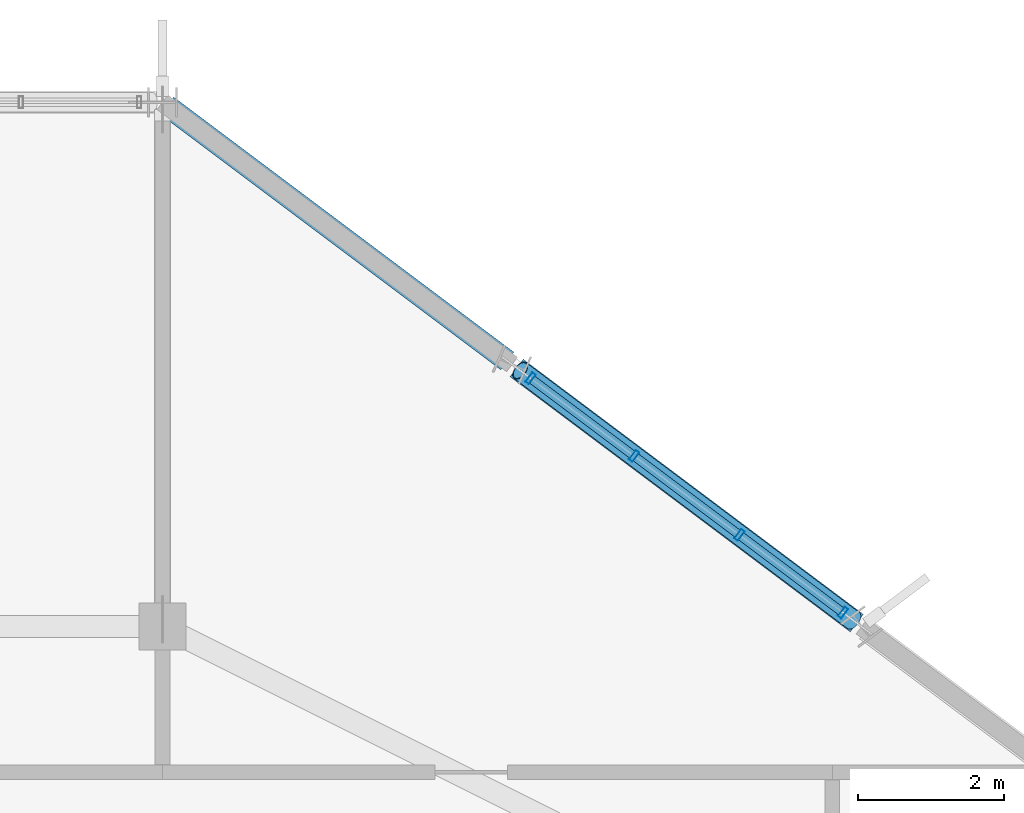
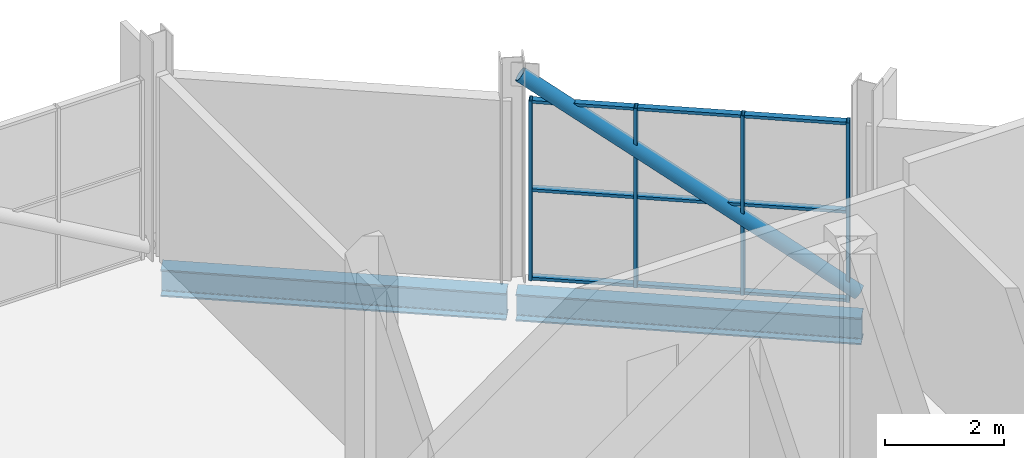
# One storey, part 10 of 22: 14 members, 2 beams, 1 element without a shape of its own.
"""IFC4 building model written with IfcOpenShell, lengths in metres."""

from ifc_helpers import new_model, si_unit, direction, frame, origin, origin_2d, place, context, subcontext, project, spatial, hollow_rectangle, hollow_circle, i_section, extrude, material, layer, layer_set, material_profile, profile_set, type_object, element, aggregate, save


model = new_model("IFC4")

# Units and contexts
model_context = context("Model", 3, precision=1e-05, world=origin(), true_north=direction((0.0, 1.0)))
body_context = subcontext(model_context, "Body", "Model", "MODEL_VIEW")
ifc_project = project(units=[si_unit("LENGTHUNIT", "METRE"), si_unit("AREAUNIT", "SQUARE_METRE"), si_unit("VOLUMEUNIT", "CUBIC_METRE"), si_unit("PLANEANGLEUNIT", "RADIAN"), si_unit("MASSUNIT", "GRAM", prefix="KILO")], contexts=[model_context])

# Site, building, storey
site_placement = place(None, origin())
site = spatial("IfcSite", under=ifc_project, at=site_placement, CompositionType="ELEMENT")
building_placement = place(site_placement, origin())
building = spatial("IfcBuilding", under=site, at=building_placement, Name="Solnavia Interchange Tower", CompositionType="ELEMENT")
storey_placement = place(building_placement, frame((0.0, 0.0, 317.699951171875)))
storey = spatial("IfcBuildingStorey", under=building, at=storey_placement, Name="C04", CompositionType="ELEMENT", Elevation=317.699951171875)

# Curtain wall, members
ifc_material_1 = material(Name="Aluminium Alloy 6063-T6", Category="aluminium")
ifc_layer = layer(ifc_material_1, 0.179931640625)
ifc_layer_set = layer_set([ifc_layer], Name="Aluminium Alloy 6063-T6")
curtain_wall_type = type_object("IfcCurtainWallType", Name="CurtainWall-Crown-CTW6", PredefinedType="NOTDEFINED", material=ifc_layer_set)
curtain_wall_placement = place(storey_placement, origin())
curtain_wall = element("IfcCurtainWall", 1, at=curtain_wall_placement, inside=storey, type_object=curtain_wall_type, Name="CTW-C04-R03 CTW-6 curtain wall", PredefinedType="NOTDEFINED")
ifc_material_profile_1 = material_profile(ifc_material_1, hollow_rectangle(XDim=0.06005859375, YDim=0.159912109375, WallThickness=0.00390625, at=origin_2d()), Name="ALU 160x60x4")
ifc_profile_set_1 = profile_set([ifc_material_profile_1], Name="Aluminium Alloy 6063-T6")
member_type_1 = type_object("IfcMemberType", Name="CW-Mullion-CWM-6", PredefinedType="MULLION", material=ifc_profile_set_1)
member_1_placement = place(storey_placement, frame((34.545166015625, 28.9912109375, 0.0), z_axis=(0.0, 0.0, 1.0), x_axis=(-0.799999999998, 0.600000000002, 0.0)))
member_1 = element("IfcMember", 2, at=member_1_placement, type_object=member_type_1, Name="CTW-6 mullion 1", PredefinedType="MULLION", context=body_context, shape_type="SweptSolid", body=[
    extrude(hollow_rectangle(XDim=0.06005859375, YDim=0.159912109375, WallThickness=0.00390625, at=origin_2d()), origin(), (0.0, 0.0, 1.0), 3.679931640625),
])
member_2_placement = place(storey_placement, frame((33.123046875, 30.0576171875, 0.0), z_axis=(0.0, 0.0, 1.0), x_axis=(-0.799999999998, 0.600000000002, 0.0)))
member_2 = element("IfcMember", 3, at=member_2_placement, type_object=member_type_1, Name="CTW-6 mullion 2", PredefinedType="MULLION", context=body_context, shape_type="SweptSolid", body=[
    extrude(hollow_rectangle(XDim=0.06005859375, YDim=0.159912109375, WallThickness=0.00390625, at=origin_2d()), origin(), (0.0, 0.0, 1.0), 3.679931640625),
])
member_3_placement = place(storey_placement, frame((31.677001953125, 31.142333984375, 0.0), z_axis=(0.0, 0.0, 1.0), x_axis=(-0.799999999998, 0.600000000002, 0.0)))
member_3 = element("IfcMember", 4, at=member_3_placement, type_object=member_type_1, Name="CTW-6 mullion 3", PredefinedType="MULLION", context=body_context, shape_type="SweptSolid", body=[
    extrude(hollow_rectangle(XDim=0.06005859375, YDim=0.159912109375, WallThickness=0.00390625, at=origin_2d()), origin(), (0.0, 0.0, 1.0), 3.679931640625),
])
member_4_placement = place(storey_placement, frame((30.2548828125, 32.208984375, 0.0), z_axis=(0.0, 0.0, 1.0), x_axis=(-0.799999999998, 0.600000000002, 0.0)))
member_4 = element("IfcMember", 5, at=member_4_placement, type_object=member_type_1, Name="CTW-6 mullion 4", PredefinedType="MULLION", context=body_context, shape_type="SweptSolid", body=[
    extrude(hollow_rectangle(XDim=0.06005859375, YDim=0.159912109375, WallThickness=0.00390625, at=origin_2d()), origin(), (0.0, 0.0, 1.0), 3.679931640625),
])
ifc_material_profile_2 = material_profile(ifc_material_1, hollow_rectangle(XDim=0.06005859375, YDim=0.1201171875, WallThickness=0.00390625, at=origin_2d()), Name="ALU 120x60x4")
ifc_profile_set_2 = profile_set([ifc_material_profile_2], Name="Aluminium Alloy 6063-T6")
member_type_2 = type_object("IfcMemberType", Name="CW-Transom-CWT-6", PredefinedType="USERDEFINED", material=ifc_profile_set_2)
member_5_placement = place(storey_placement, frame((34.521240234375, 29.009033203125, 0.030029296875), z_axis=(-0.799982945501, 0.600022738658, 0.0), x_axis=(0.0, 0.0, 1.0)))
member_5 = element("IfcMember", 6, at=member_5_placement, type_object=member_type_2, Name="CTW-6 transom 1.1", ObjectType="TRANSOM", PredefinedType="USERDEFINED", context=body_context, shape_type="SweptSolid", body=[
    extrude(hollow_rectangle(XDim=0.06005859375, YDim=0.1201171875, WallThickness=0.00390625, at=origin_2d()), origin(), (0.0, 0.0, 1.0), 1.7177734375),
])
member_6_placement = place(storey_placement, frame((34.521240234375, 29.009033203125, 1.840087890625), z_axis=(-0.799982945501, 0.600022738658, 0.0), x_axis=(0.0, 0.0, 1.0)))
member_6 = element("IfcMember", 7, at=member_6_placement, type_object=member_type_2, Name="CTW-6 transom 1.2", ObjectType="TRANSOM", PredefinedType="USERDEFINED", context=body_context, shape_type="SweptSolid", body=[
    extrude(hollow_rectangle(XDim=0.06005859375, YDim=0.1201171875, WallThickness=0.00390625, at=origin_2d()), origin(), (0.0, 0.0, 1.0), 1.7177734375),
])
member_7_placement = place(storey_placement, frame((34.521240234375, 29.009033203125, 3.650146484375), z_axis=(-0.799982945501, 0.600022738658, 0.0), x_axis=(0.0, 0.0, 1.0)))
member_7 = element("IfcMember", 8, at=member_7_placement, type_object=member_type_2, Name="CTW-6 transom 1.3", ObjectType="TRANSOM", PredefinedType="USERDEFINED", context=body_context, shape_type="SweptSolid", body=[
    extrude(hollow_rectangle(XDim=0.06005859375, YDim=0.1201171875, WallThickness=0.00390625, at=origin_2d()), origin(), (0.0, 0.0, 1.0), 1.7177734375),
])
member_8_placement = place(storey_placement, frame((33.09912109375, 30.07568359375, 0.030029296875), z_axis=(-0.800016762742, 0.599977649027, 0.0), x_axis=(0.0, 0.0, 1.0)))
member_8 = element("IfcMember", 9, at=member_8_placement, type_object=member_type_2, Name="CTW-6 transom 2.1", ObjectType="TRANSOM", PredefinedType="USERDEFINED", context=body_context, shape_type="SweptSolid", body=[
    extrude(hollow_rectangle(XDim=0.06005859375, YDim=0.1201171875, WallThickness=0.00390625, at=origin_2d()), origin(), (0.0, 0.0, 1.0), 1.747802734375),
])
member_9_placement = place(storey_placement, frame((33.09912109375, 30.07568359375, 1.840087890625), z_axis=(-0.800016762742, 0.599977649027, 0.0), x_axis=(0.0, 0.0, 1.0)))
member_9 = element("IfcMember", 10, at=member_9_placement, type_object=member_type_2, Name="CTW-6 transom 2.2", ObjectType="TRANSOM", PredefinedType="USERDEFINED", context=body_context, shape_type="SweptSolid", body=[
    extrude(hollow_rectangle(XDim=0.06005859375, YDim=0.1201171875, WallThickness=0.00390625, at=origin_2d()), origin(), (0.0, 0.0, 1.0), 1.747802734375),
])
member_10_placement = place(storey_placement, frame((33.09912109375, 30.07568359375, 3.650146484375), z_axis=(-0.800016762742, 0.599977649027, 0.0), x_axis=(0.0, 0.0, 1.0)))
member_10 = element("IfcMember", 11, at=member_10_placement, type_object=member_type_2, Name="CTW-6 transom 2.3", ObjectType="TRANSOM", PredefinedType="USERDEFINED", context=body_context, shape_type="SweptSolid", body=[
    extrude(hollow_rectangle(XDim=0.06005859375, YDim=0.1201171875, WallThickness=0.00390625, at=origin_2d()), origin(), (0.0, 0.0, 1.0), 1.747802734375),
])
member_11_placement = place(storey_placement, frame((31.65283203125, 31.160400390625, 0.030029296875), z_axis=(-0.8, 0.6, 0.0), x_axis=(0.0, 0.0, 1.0)))
member_11 = element("IfcMember", 12, at=member_11_placement, type_object=member_type_2, Name="CTW-6 transom 3.1", ObjectType="TRANSOM", PredefinedType="USERDEFINED", context=body_context, shape_type="SweptSolid", body=[
    extrude(hollow_rectangle(XDim=0.06005859375, YDim=0.1201171875, WallThickness=0.00390625, at=origin_2d()), origin(), (0.0, 0.0, 1.0), 1.717529296875),
])
member_12_placement = place(storey_placement, frame((31.65283203125, 31.160400390625, 1.840087890625), z_axis=(-0.8, 0.6, 0.0), x_axis=(0.0, 0.0, 1.0)))
member_12 = element("IfcMember", 13, at=member_12_placement, type_object=member_type_2, Name="CTW-6 transom 3.2", ObjectType="TRANSOM", PredefinedType="USERDEFINED", context=body_context, shape_type="SweptSolid", body=[
    extrude(hollow_rectangle(XDim=0.06005859375, YDim=0.1201171875, WallThickness=0.00390625, at=origin_2d()), origin(), (0.0, 0.0, 1.0), 1.717529296875),
])
member_13_placement = place(storey_placement, frame((31.65283203125, 31.160400390625, 3.650146484375), z_axis=(-0.8, 0.6, 0.0), x_axis=(0.0, 0.0, 1.0)))
member_13 = element("IfcMember", 14, at=member_13_placement, type_object=member_type_2, Name="CTW-6 transom 3.3", ObjectType="TRANSOM", PredefinedType="USERDEFINED", context=body_context, shape_type="SweptSolid", body=[
    extrude(hollow_rectangle(XDim=0.06005859375, YDim=0.1201171875, WallThickness=0.00390625, at=origin_2d()), origin(), (0.0, 0.0, 1.0), 1.717529296875),
])
aggregate(curtain_wall, [member_1, member_2, member_3, member_4, member_5, member_6, member_7, member_8, member_9, member_10, member_11, member_12, member_13])

# Member
ifc_material_2 = material(Name="Steel S355", Category="steel")
ifc_material_profile_3 = material_profile(ifc_material_2, hollow_circle(Radius=0.136474609375, WallThickness=0.012451171875, at=origin_2d()), Name="CHS 273x12.5")
ifc_profile_set_3 = profile_set([ifc_material_profile_3], Name="Steel S355")
member_type_3 = type_object("IfcMemberType", Name="CrownFrame-Brace-CHS273", PredefinedType="BRACE", material=ifc_profile_set_3)
member_14_placement = place(storey_placement, frame((34.68798828125, 28.884033203125, 0.179931640625), z_axis=(-0.656664719277, 0.492489780658, 0.571178835745), x_axis=(-0.599993170718, -0.800005121916, 0.0)))
element("IfcMember", 15, at=member_14_placement, inside=storey, type_object=member_type_3, Name="BRC-C04-CF03 CROWN FRAME ring brace", PredefinedType="BRACE", context=body_context, shape_type="SweptSolid", body=[
    extrude(hollow_circle(Radius=0.136474609375, WallThickness=0.012451171875, at=origin_2d()), origin(), (0.0, 0.0, 1.0), 6.968505859375),
])

# Beams
ifc_material_3 = material(Name="Steel S460", Category="steel")
ifc_material_profile_4 = material_profile(ifc_material_3, i_section(OverallWidth=0.300048828125, OverallDepth=0.550048828125, WebThickness=0.014892578125, FlangeThickness=0.029052734375, FilletRadius=0.027099609375, at=origin_2d()), Name="HEB 550")
ifc_profile_set_4 = profile_set([ifc_material_profile_4], Name="Steel S460")
beam_type = type_object("IfcBeamType", Name="CrownFrame-Ring-HEB550", PredefinedType="BEAM", material=ifc_profile_set_4)
for number, where, z_axis, x_axis, name in (
    (16, (34.736083984375, 28.847900390625, -0.52490234375), (-0.799994983543, 0.600006688551, 0.0), (-0.600006688551, -0.799994983543, 0.0), "GRD-C04-CR03 CROWN FRAME outer collar ring beam"),
    (17, (29.93603515625, 32.447998046875, -0.52490234375), (-0.800015049412, 0.599979933593, 0.0), (-0.599979933593, -0.800015049412, 0.0), "GRD-C04-CR04 CROWN FRAME outer collar ring beam"),
):
    element("IfcBeam", number, at=place(storey_placement, frame(where, z_axis=z_axis, x_axis=x_axis)), inside=storey, type_object=beam_type, Name=name, PredefinedType="BEAM", context=body_context, shape_type="SweptSolid", body=[
        extrude(i_section(OverallWidth=0.300048828125, OverallDepth=0.550048828125, WebThickness=0.014892578125, FlangeThickness=0.029052734375, FilletRadius=0.027099609375, at=origin_2d()), origin(), (0.0, 0.0, 1.0), 5.840087890625),
    ])

save(model, "model.ifc")
